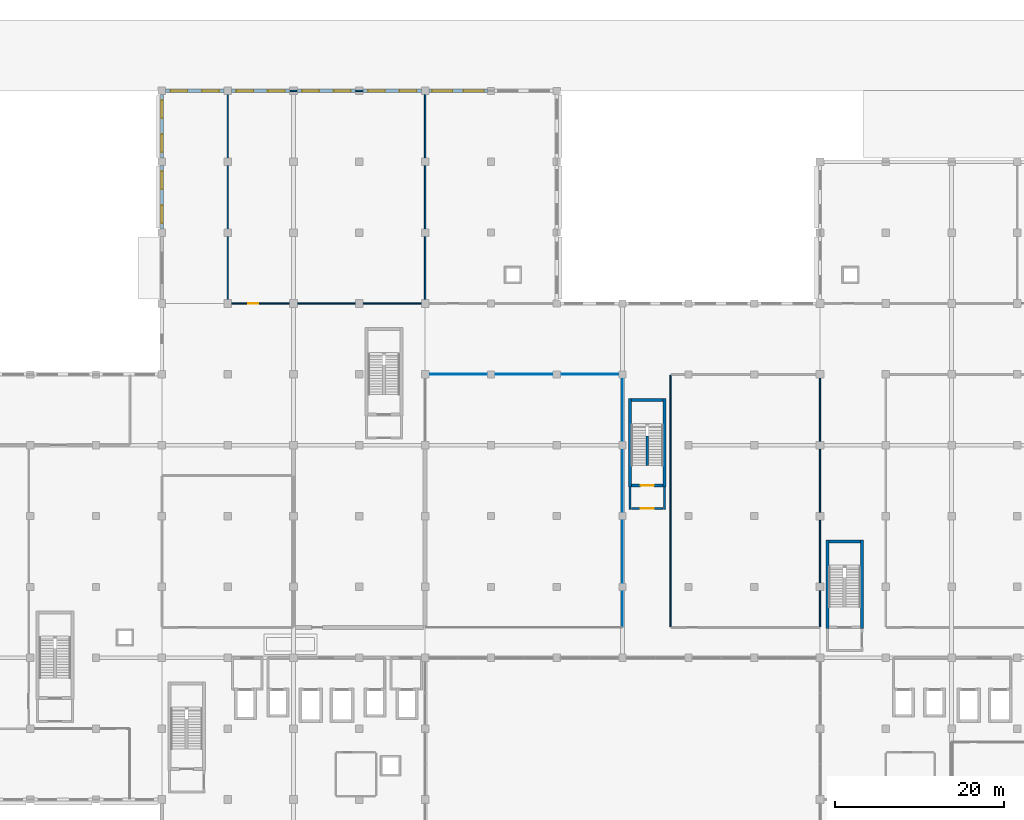
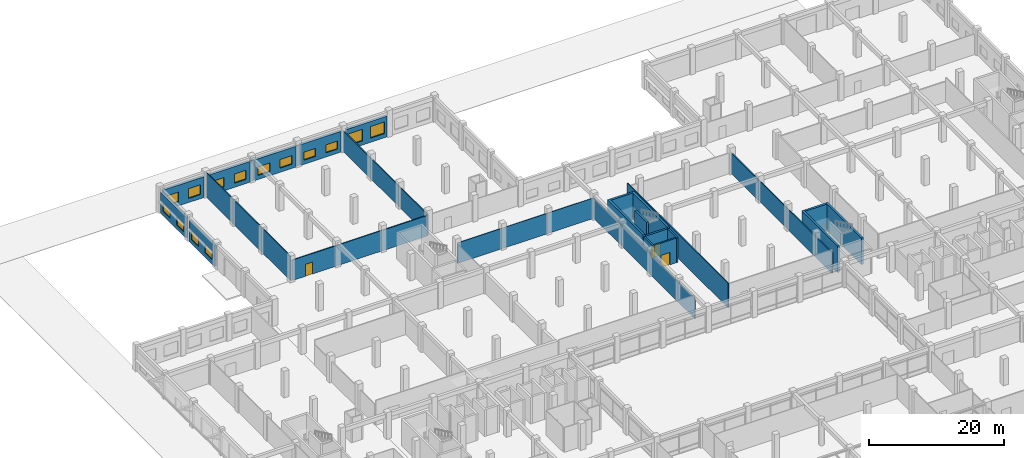
# One storey, part 53 of 74: 27 walls, 14 windows, 3 doors, 17 openings.
"""IFC4 building model written with IfcOpenShell, lengths in metres."""

from ifc_helpers import new_model, si_unit, direction, frame, frame_2d, origin, place, context, subcontext, project, spatial, rectangle, extrude, material, layer, layer_set, type_object, element, fill, save


model = new_model("IFC4")

# Units and contexts
model_context = context("Model", 3, precision=1e-05, world=origin(), true_north=direction((0.0, 1.0)))
body_context = subcontext(model_context, "Body", "Model", "MODEL_VIEW")
ifc_project = project(units=[si_unit("LENGTHUNIT", "METRE"), si_unit("AREAUNIT", "SQUARE_METRE"), si_unit("VOLUMEUNIT", "CUBIC_METRE"), si_unit("PLANEANGLEUNIT", "RADIAN"), si_unit("MASSUNIT", "GRAM", prefix="KILO"), si_unit("THERMODYNAMICTEMPERATUREUNIT", "KELVIN"), si_unit("POWERUNIT", "WATT")], contexts=[model_context])

# Site, building, storey
site_placement = place(None, origin())
site = spatial("IfcSite", under=ifc_project, at=site_placement, CompositionType="ELEMENT")
building_placement = place(site_placement, origin())
building = spatial("IfcBuilding", under=site, at=building_placement, Name="Srebrne Nadtorze General Hospital", CompositionType="ELEMENT")
storey_placement = place(building_placement, origin())
storey = spatial("IfcBuildingStorey", under=building, at=storey_placement, Name="L00", CompositionType="ELEMENT", Elevation=0.0)

# Wall, openings, windows
ifc_material_1 = material(Name="Concrete C40/50", Category="concrete")
ifc_layer_1 = layer(ifc_material_1, 0.419921875)
ifc_layer_set_1 = layer_set([ifc_layer_1], Name="Concrete C40/50")
wall_type_1 = type_object("IfcWallType", Name="Acoustic buffer wall 420", PredefinedType="SOLIDWALL", material=ifc_layer_set_1)
wall_1_placement = place(storey_placement, frame((23.85009765625, 117.60009765625, 0.0), z_axis=(0.0, 0.0, 1.0), x_axis=(1.0, 0.0, 0.0)))
wall_1 = element("IfcWall", 1, at=wall_1_placement, inside=storey, type_object=wall_type_1, Name="Exterior wall WL-ENV-L00-0113", PredefinedType="SOLIDWALL", context=body_context, shape_type="SweptSolid", body=[
    extrude(rectangle(XDim=6.89990234375, YDim=0.419921875, at=frame_2d((3.449951171875, 0.0))), origin(), (0.0, 0.0, 1.0), 3.75),
])
opening_1_placement = place(wall_1_placement, frame((0.577880859375, 0.0, 0.75)))
opening_1 = element("IfcOpeningElement", 2, at=opening_1_placement, cuts=wall_1, Name="Opening WN-L00-0061", PredefinedType="OPENING", context=body_context, shape_type="SweptSolid", body=[
    extrude(rectangle(XDim=2.0, YDim=1.75, at=frame_2d((1.0, 0.875))), frame((0.0, 0.221923828125, 0.0), z_axis=(0.0, -1.0, 0.0), x_axis=(1.0, 0.0, 0.0)), (0.0, 0.0, 1.0), 0.44384765625),
])
opening_2_placement = place(wall_1_placement, frame((4.322021484375, 0.0, 0.75)))
opening_2 = element("IfcOpeningElement", 3, at=opening_2_placement, cuts=wall_1, Name="Opening WN-L00-0062", PredefinedType="OPENING", context=body_context, shape_type="SweptSolid", body=[
    extrude(rectangle(XDim=2.0, YDim=1.75, at=frame_2d((1.0, 0.875))), frame((0.0, 0.221923828125, 0.0), z_axis=(0.0, -1.0, 0.0), x_axis=(1.0, 0.0, 0.0)), (0.0, 0.0, 1.0), 0.44384765625),
])
ifc_material_2 = material(Name="Triple Low-E Glazing", Category="glass")
window_type_1 = type_object("IfcWindowType", Name="Punched clinical window 2000x1750", PartitioningType="DOUBLE_PANEL_VERTICAL", PredefinedType="WINDOW", material=ifc_material_2)
window_1_placement = place(opening_1_placement, origin())
window_1 = element("IfcWindow", 4, at=window_1_placement, inside=storey, type_object=window_type_1, Name="Clinical window WN-L00-0061", OverallHeight=1.75, OverallWidth=2.0, PartitioningType="DOUBLE_PANEL_VERTICAL", PredefinedType="WINDOW", context=body_context, shape_type="SweptSolid", body=[
    extrude(rectangle(XDim=2.0, YDim=1.75, at=frame_2d((1.0, 0.875))), frame((0.0, 0.030029296875, 0.0), z_axis=(0.0, -1.0, 0.0), x_axis=(1.0, 0.0, 0.0)), (0.0, 0.0, 1.0), 0.06005859375),
])
fill(opening_1, window_1)
window_2_placement = place(opening_2_placement, origin())
window_2 = element("IfcWindow", 5, at=window_2_placement, inside=storey, type_object=window_type_1, Name="Clinical window WN-L00-0062", OverallHeight=1.75, OverallWidth=2.0, PartitioningType="DOUBLE_PANEL_VERTICAL", PredefinedType="WINDOW", context=body_context, shape_type="SweptSolid", body=[
    extrude(rectangle(XDim=2.0, YDim=1.75, at=frame_2d((1.0, 0.875))), frame((0.0, 0.030029296875, 0.0), z_axis=(0.0, -1.0, 0.0), x_axis=(1.0, 0.0, 0.0)), (0.0, 0.0, 1.0), 0.06005859375),
])
fill(opening_2, window_2)

wall_2_placement = place(storey_placement, frame((31.64990234375, 117.60009765625, 0.0), z_axis=(0.0, 0.0, 1.0), x_axis=(1.0, 0.0, 0.0)))
wall_2 = element("IfcWall", 6, at=wall_2_placement, inside=storey, type_object=wall_type_1, Name="Exterior wall WL-ENV-L00-0114", PredefinedType="SOLIDWALL", context=body_context, shape_type="SweptSolid", body=[
    extrude(rectangle(XDim=6.900146484375, YDim=0.419921875, at=frame_2d((3.4501953125, 0.0))), origin(), (0.0, 0.0, 1.0), 3.75),
])
opening_3_placement = place(wall_2_placement, frame((0.577880859375, 0.0, 0.75)))
opening_3 = element("IfcOpeningElement", 7, at=opening_3_placement, cuts=wall_2, Name="Opening WN-L00-0063", PredefinedType="OPENING", context=body_context, shape_type="SweptSolid", body=[
    extrude(rectangle(XDim=2.0, YDim=1.64990234375, at=frame_2d((1.0, 0.824951171875))), frame((0.0, 0.221923828125, 0.0), z_axis=(0.0, -1.0, 0.0), x_axis=(1.0, 0.0, 0.0)), (0.0, 0.0, 1.0), 0.44384765625),
])
opening_4_placement = place(wall_2_placement, frame((4.322021484375, 0.0, 0.75)))
opening_4 = element("IfcOpeningElement", 8, at=opening_4_placement, cuts=wall_2, Name="Opening WN-L00-0064", PredefinedType="OPENING", context=body_context, shape_type="SweptSolid", body=[
    extrude(rectangle(XDim=2.0, YDim=1.64990234375, at=frame_2d((1.0, 0.824951171875))), frame((0.0, 0.221923828125, 0.0), z_axis=(0.0, -1.0, 0.0), x_axis=(1.0, 0.0, 0.0)), (0.0, 0.0, 1.0), 0.44384765625),
])
ifc_material_3 = material(Name="Triple Low-E Glazing", Category="glass")
window_type_2 = type_object("IfcWindowType", Name="Punched clinical window 2000x1650", PartitioningType="DOUBLE_PANEL_VERTICAL", PredefinedType="WINDOW", material=ifc_material_3)
window_3_placement = place(opening_3_placement, origin())
window_3 = element("IfcWindow", 9, at=window_3_placement, inside=storey, type_object=window_type_2, Name="Clinical window WN-L00-0063", OverallHeight=1.64990234375, OverallWidth=2.0, PartitioningType="DOUBLE_PANEL_VERTICAL", PredefinedType="WINDOW", context=body_context, shape_type="SweptSolid", body=[
    extrude(rectangle(XDim=2.0, YDim=1.64990234375, at=frame_2d((1.0, 0.824951171875))), frame((0.0, 0.030029296875, 0.0), z_axis=(0.0, -1.0, 0.0), x_axis=(1.0, 0.0, 0.0)), (0.0, 0.0, 1.0), 0.06005859375),
])
fill(opening_3, window_3)
window_4_placement = place(opening_4_placement, origin())
window_4 = element("IfcWindow", 10, at=window_4_placement, inside=storey, type_object=window_type_2, Name="Clinical window WN-L00-0064", OverallHeight=1.64990234375, OverallWidth=2.0, PartitioningType="DOUBLE_PANEL_VERTICAL", PredefinedType="WINDOW", context=body_context, shape_type="SweptSolid", body=[
    extrude(rectangle(XDim=2.0, YDim=1.64990234375, at=frame_2d((1.0, 0.824951171875))), frame((0.0, 0.030029296875, 0.0), z_axis=(0.0, -1.0, 0.0), x_axis=(1.0, 0.0, 0.0)), (0.0, 0.0, 1.0), 0.06005859375),
])
fill(opening_4, window_4)

wall_3_placement = place(storey_placement, frame((39.449951171875, 117.60009765625, 0.0), z_axis=(0.0, 0.0, 1.0), x_axis=(1.0, 0.0, 0.0)))
wall_3 = element("IfcWall", 11, at=wall_3_placement, inside=storey, type_object=wall_type_1, Name="Exterior wall WL-ENV-L00-0115", PredefinedType="SOLIDWALL", context=body_context, shape_type="SweptSolid", body=[
    extrude(rectangle(XDim=6.900146484375, YDim=0.419921875, at=frame_2d((3.4501953125, 0.0))), origin(), (0.0, 0.0, 1.0), 3.75),
])
opening_5_placement = place(wall_3_placement, frame((0.577880859375, 0.0, 0.75)))
opening_5 = element("IfcOpeningElement", 12, at=opening_5_placement, cuts=wall_3, Name="Opening WN-L00-0065", PredefinedType="OPENING", context=body_context, shape_type="SweptSolid", body=[
    extrude(rectangle(XDim=2.0, YDim=1.550048828125, at=frame_2d((1.0, 0.77490234375))), frame((0.0, 0.221923828125, 0.0), z_axis=(0.0, -1.0, 0.0), x_axis=(1.0, 0.0, 0.0)), (0.0, 0.0, 1.0), 0.44384765625),
])
opening_6_placement = place(wall_3_placement, frame((4.322021484375, 0.0, 0.75)))
opening_6 = element("IfcOpeningElement", 13, at=opening_6_placement, cuts=wall_3, Name="Opening WN-L00-0066", PredefinedType="OPENING", context=body_context, shape_type="SweptSolid", body=[
    extrude(rectangle(XDim=2.0, YDim=1.550048828125, at=frame_2d((1.0, 0.77490234375))), frame((0.0, 0.221923828125, 0.0), z_axis=(0.0, -1.0, 0.0), x_axis=(1.0, 0.0, 0.0)), (0.0, 0.0, 1.0), 0.44384765625),
])
ifc_material_4 = material(Name="Triple Low-E Glazing", Category="glass")
window_type_3 = type_object("IfcWindowType", Name="Punched clinical window 2000x1550", PartitioningType="DOUBLE_PANEL_VERTICAL", PredefinedType="WINDOW", material=ifc_material_4)
window_5_placement = place(opening_5_placement, origin())
window_5 = element("IfcWindow", 14, at=window_5_placement, inside=storey, type_object=window_type_3, Name="Clinical window WN-L00-0065", OverallHeight=1.550048828125, OverallWidth=2.0, PartitioningType="DOUBLE_PANEL_VERTICAL", PredefinedType="WINDOW", context=body_context, shape_type="SweptSolid", body=[
    extrude(rectangle(XDim=2.0, YDim=1.550048828125, at=frame_2d((1.0, 0.77490234375))), frame((0.0, 0.030029296875, 0.0), z_axis=(0.0, -1.0, 0.0), x_axis=(1.0, 0.0, 0.0)), (0.0, 0.0, 1.0), 0.06005859375),
])
fill(opening_5, window_5)
window_6_placement = place(opening_6_placement, origin())
window_6 = element("IfcWindow", 15, at=window_6_placement, inside=storey, type_object=window_type_3, Name="Clinical window WN-L00-0066", OverallHeight=1.550048828125, OverallWidth=2.0, PartitioningType="DOUBLE_PANEL_VERTICAL", PredefinedType="WINDOW", context=body_context, shape_type="SweptSolid", body=[
    extrude(rectangle(XDim=2.0, YDim=1.550048828125, at=frame_2d((1.0, 0.77490234375))), frame((0.0, 0.030029296875, 0.0), z_axis=(0.0, -1.0, 0.0), x_axis=(1.0, 0.0, 0.0)), (0.0, 0.0, 1.0), 0.06005859375),
])
fill(opening_6, window_6)

wall_4_placement = place(storey_placement, frame((47.25, 117.60009765625, 0.0), z_axis=(0.0, 0.0, 1.0), x_axis=(1.0, 0.0, 0.0)))
wall_4 = element("IfcWall", 16, at=wall_4_placement, inside=storey, type_object=wall_type_1, Name="Exterior wall WL-ENV-L00-0116", PredefinedType="SOLIDWALL", context=body_context, shape_type="SweptSolid", body=[
    extrude(rectangle(XDim=6.89990234375, YDim=0.419921875, at=frame_2d((3.449951171875, 0.0))), origin(), (0.0, 0.0, 1.0), 3.75),
])
opening_7_placement = place(wall_4_placement, frame((0.577880859375, 0.0, 0.75)))
opening_7 = element("IfcOpeningElement", 17, at=opening_7_placement, cuts=wall_4, Name="Opening WN-L00-0067", PredefinedType="OPENING", context=body_context, shape_type="SweptSolid", body=[
    extrude(rectangle(XDim=2.0, YDim=1.449951171875, at=frame_2d((1.0, 0.72509765625))), frame((0.0, 0.221923828125, 0.0), z_axis=(0.0, -1.0, 0.0), x_axis=(1.0, 0.0, 0.0)), (0.0, 0.0, 1.0), 0.44384765625),
])
opening_8_placement = place(wall_4_placement, frame((4.322021484375, 0.0, 0.75)))
opening_8 = element("IfcOpeningElement", 18, at=opening_8_placement, cuts=wall_4, Name="Opening WN-L00-0068", PredefinedType="OPENING", context=body_context, shape_type="SweptSolid", body=[
    extrude(rectangle(XDim=2.0, YDim=1.449951171875, at=frame_2d((1.0, 0.72509765625))), frame((0.0, 0.221923828125, 0.0), z_axis=(0.0, -1.0, 0.0), x_axis=(1.0, 0.0, 0.0)), (0.0, 0.0, 1.0), 0.44384765625),
])
ifc_material_5 = material(Name="Triple Low-E Glazing", Category="glass")
window_type_4 = type_object("IfcWindowType", Name="Punched clinical window 2000x1450", PartitioningType="DOUBLE_PANEL_VERTICAL", PredefinedType="WINDOW", material=ifc_material_5)
window_7_placement = place(opening_7_placement, origin())
window_7 = element("IfcWindow", 19, at=window_7_placement, inside=storey, type_object=window_type_4, Name="Clinical window WN-L00-0067", OverallHeight=1.449951171875, OverallWidth=2.0, PartitioningType="DOUBLE_PANEL_VERTICAL", PredefinedType="WINDOW", context=body_context, shape_type="SweptSolid", body=[
    extrude(rectangle(XDim=2.0, YDim=1.449951171875, at=frame_2d((1.0, 0.72509765625))), frame((0.0, 0.030029296875, 0.0), z_axis=(0.0, -1.0, 0.0), x_axis=(1.0, 0.0, 0.0)), (0.0, 0.0, 1.0), 0.06005859375),
])
fill(opening_7, window_7)
window_8_placement = place(opening_8_placement, origin())
window_8 = element("IfcWindow", 20, at=window_8_placement, inside=storey, type_object=window_type_4, Name="Clinical window WN-L00-0068", OverallHeight=1.449951171875, OverallWidth=2.0, PartitioningType="DOUBLE_PANEL_VERTICAL", PredefinedType="WINDOW", context=body_context, shape_type="SweptSolid", body=[
    extrude(rectangle(XDim=2.0, YDim=1.449951171875, at=frame_2d((1.0, 0.72509765625))), frame((0.0, 0.030029296875, 0.0), z_axis=(0.0, -1.0, 0.0), x_axis=(1.0, 0.0, 0.0)), (0.0, 0.0, 1.0), 0.06005859375),
])
fill(opening_8, window_8)

wall_5_placement = place(storey_placement, frame((55.050048828125, 117.60009765625, 0.0), z_axis=(0.0, 0.0, 1.0), x_axis=(1.0, 0.0, 0.0)))
wall_5 = element("IfcWall", 21, at=wall_5_placement, inside=storey, type_object=wall_type_1, Name="Exterior wall WL-ENV-L00-0117", PredefinedType="SOLIDWALL", context=body_context, shape_type="SweptSolid", body=[
    extrude(rectangle(XDim=6.925048828125, YDim=0.419921875, at=frame_2d((3.46240234375, 0.0))), origin(), (0.0, 0.0, 1.0), 3.75),
])
opening_9_placement = place(wall_5_placement, frame((0.3779296875, 0.0, 0.75)))
opening_9 = element("IfcOpeningElement", 22, at=opening_9_placement, cuts=wall_5, Name="Opening WN-L00-0069", PredefinedType="OPENING", context=body_context, shape_type="SweptSolid", body=[
    extrude(rectangle(XDim=2.39990234375, YDim=2.10009765625, at=frame_2d((1.199951171875, 1.050048828125))), frame((0.0, 0.221923828125, 0.0), z_axis=(0.0, -1.0, 0.0), x_axis=(1.0, 0.0, 0.0)), (0.0, 0.0, 1.0), 0.44384765625),
])
opening_10_placement = place(wall_5_placement, frame((4.1220703125, 0.0, 0.75)))
opening_10 = element("IfcOpeningElement", 23, at=opening_10_placement, cuts=wall_5, Name="Opening WN-L00-0070", PredefinedType="OPENING", context=body_context, shape_type="SweptSolid", body=[
    extrude(rectangle(XDim=2.39990234375, YDim=2.10009765625, at=frame_2d((1.199951171875, 1.050048828125))), frame((0.0, 0.221923828125, 0.0), z_axis=(0.0, -1.0, 0.0), x_axis=(1.0, 0.0, 0.0)), (0.0, 0.0, 1.0), 0.44384765625),
])
ifc_material_6 = material(Name="Triple Low-E Glazing", Category="glass")
window_type_5 = type_object("IfcWindowType", Name="Punched clinical window 2400x2100", PartitioningType="DOUBLE_PANEL_VERTICAL", PredefinedType="WINDOW", material=ifc_material_6)
window_9_placement = place(opening_9_placement, origin())
window_9 = element("IfcWindow", 24, at=window_9_placement, inside=storey, type_object=window_type_5, Name="Clinical window WN-L00-0069", OverallHeight=2.10009765625, OverallWidth=2.39990234375, PartitioningType="DOUBLE_PANEL_VERTICAL", PredefinedType="WINDOW", context=body_context, shape_type="SweptSolid", body=[
    extrude(rectangle(XDim=2.39990234375, YDim=2.10009765625, at=frame_2d((1.199951171875, 1.050048828125))), frame((0.0, 0.030029296875, 0.0), z_axis=(0.0, -1.0, 0.0), x_axis=(1.0, 0.0, 0.0)), (0.0, 0.0, 1.0), 0.06005859375),
])
fill(opening_9, window_9)
window_10_placement = place(opening_10_placement, origin())
window_10 = element("IfcWindow", 25, at=window_10_placement, inside=storey, type_object=window_type_5, Name="Clinical window WN-L00-0070", OverallHeight=2.10009765625, OverallWidth=2.39990234375, PartitioningType="DOUBLE_PANEL_VERTICAL", PredefinedType="WINDOW", context=body_context, shape_type="SweptSolid", body=[
    extrude(rectangle(XDim=2.39990234375, YDim=2.10009765625, at=frame_2d((1.199951171875, 1.050048828125))), frame((0.0, 0.030029296875, 0.0), z_axis=(0.0, -1.0, 0.0), x_axis=(1.0, 0.0, 0.0)), (0.0, 0.0, 1.0), 0.06005859375),
])
fill(opening_10, window_10)

# Wall, opening, door
ifc_material_7 = material(Name="Gypsum Healthcare Partition")
ifc_layer_2 = layer(ifc_material_7, 0.159912109375)
ifc_layer_set_2 = layer_set([ifc_layer_2], Name="Gypsum Healthcare Partition")
wall_type_2 = type_object("IfcWallType", Name="Clinical partition 160", PredefinedType="PARTITIONING", material=ifc_layer_set_2)
wall_6_placement = place(storey_placement, frame((31.284912109375, 92.39990234375, 0.0), z_axis=(0.0, 0.0, 1.0), x_axis=(1.0, 0.0, 0.0)))
wall_6 = element("IfcWall", 26, at=wall_6_placement, inside=storey, type_object=wall_type_2, Name="Emergency Minor Injuries Unit wall WL-INT-L00-1321", PredefinedType="PARTITIONING", context=body_context, shape_type="SweptSolid", body=[
    extrude(rectangle(XDim=23.22998046875, YDim=0.159912109375, at=frame_2d((11.614990234375, 0.0))), origin(), (0.0, 0.0, 1.0), 3.699951171875),
])
opening_11_placement = place(wall_6_placement, frame((2.33837890625, 0.0, 0.0)))
opening_11 = element("IfcOpeningElement", 27, at=opening_11_placement, cuts=wall_6, Name="Opening D-L00-0196", PredefinedType="OPENING", context=body_context, shape_type="SweptSolid", body=[
    extrude(rectangle(XDim=1.199951171875, YDim=2.14990234375, at=frame_2d((0.60009765625, 1.074951171875))), frame((0.0, 0.091796875, 0.0), z_axis=(0.0, -1.0, 0.0), x_axis=(1.0, 0.0, 0.0)), (0.0, 0.0, 1.0), 0.183837890625),
])
ifc_material_8 = material(Name="Anodised Aluminium", Category="aluminium")
door_type_1 = type_object("IfcDoorType", Name="Single leaf door 1200x2150", OperationType="NOTDEFINED", PredefinedType="DOOR", material=ifc_material_8)
door_1_placement = place(opening_11_placement, origin())
door_1 = element("IfcDoor", 28, at=door_1_placement, inside=storey, type_object=door_type_1, Name="Emergency Minor Injuries Unit door D-L00-0196", OperationType="SINGLE_SWING_LEFT", OverallHeight=2.14990234375, OverallWidth=1.199951171875, PredefinedType="DOOR", context=body_context, shape_type="SweptSolid", body=[
    extrude(rectangle(XDim=1.199951171875, YDim=2.14990234375, at=frame_2d((0.60009765625, 1.074951171875))), frame((0.0, 0.02490234375, 0.0), z_axis=(0.0, -1.0, 0.0), x_axis=(1.0, 0.0, 0.0)), (0.0, 0.0, 1.0), 0.050048828125),
])
fill(opening_11, door_1)

# Walls
wall_7_placement = place(storey_placement, frame((38.590087890625, 117.60009765625, 0.0), z_axis=(0.0, 0.0, 1.0), x_axis=(1.0, 0.0, 0.0)))
element("IfcWall", 29, at=wall_7_placement, inside=storey, type_object=wall_type_2, Name="Emergency Minor Injuries Unit wall WL-INT-L00-1322", PredefinedType="PARTITIONING", context=body_context, shape_type="SweptSolid", body=[
    extrude(rectangle(XDim=0.81982421875, YDim=0.159912109375, at=frame_2d((0.409912109375, 0.0))), origin(), (0.0, 0.0, 1.0), 3.699951171875),
])
wall_8_placement = place(storey_placement, frame((46.389892578125, 117.60009765625, 0.0), z_axis=(0.0, 0.0, 1.0), x_axis=(1.0, 0.0, 0.0)))
element("IfcWall", 30, at=wall_8_placement, inside=storey, type_object=wall_type_2, Name="Emergency Minor Injuries Unit wall WL-INT-L00-1323", PredefinedType="PARTITIONING", context=body_context, shape_type="SweptSolid", body=[
    extrude(rectangle(XDim=0.820068359375, YDim=0.159912109375, at=frame_2d((0.41015625, 0.0))), origin(), (0.0, 0.0, 1.0), 3.699951171875),
])
wall_9_placement = place(storey_placement, frame((31.199951171875, 92.485107421875, 0.0), z_axis=(0.0, 0.0, 1.0), x_axis=(0.0, 1.0, 0.0)))
element("IfcWall", 31, at=wall_9_placement, inside=storey, type_object=wall_type_2, Name="Emergency Minor Injuries Unit wall WL-INT-L00-1324", PredefinedType="PARTITIONING", context=body_context, shape_type="SweptSolid", body=[
    extrude(rectangle(XDim=25.02978515625, YDim=0.159912109375, at=frame_2d((12.514892578125, 0.0))), origin(), (0.0, 0.0, 1.0), 4.429931640625),
])
wall_10_placement = place(storey_placement, frame((54.60009765625, 92.485107421875, 0.0), z_axis=(0.0, 0.0, 1.0), x_axis=(0.0, 1.0, 0.0)))
element("IfcWall", 32, at=wall_10_placement, inside=storey, type_object=wall_type_2, Name="Emergency Minor Injuries Unit wall WL-INT-L00-1325", PredefinedType="PARTITIONING", context=body_context, shape_type="SweptSolid", body=[
    extrude(rectangle(XDim=25.02978515625, YDim=0.159912109375, at=frame_2d((12.514892578125, 0.0))), origin(), (0.0, 0.0, 1.0), 3.699951171875),
])
wall_11_placement = place(storey_placement, frame((83.675048828125, 54.0849609375, 0.0), z_axis=(0.0, 0.0, 1.0), x_axis=(0.0, 1.0, 0.0)))
element("IfcWall", 33, at=wall_11_placement, inside=storey, type_object=wall_type_2, Name="Emergency Plaster and Fracture Clinic wall WL-INT-L00-1336", PredefinedType="PARTITIONING", context=body_context, shape_type="SweptSolid", body=[
    extrude(rectangle(XDim=29.830078125, YDim=0.159912109375, at=frame_2d((14.9150390625, 0.0))), origin(), (0.0, 0.0, 1.0), 4.429931640625),
])
wall_12_placement = place(storey_placement, frame((101.39990234375, 54.0849609375, 0.0), z_axis=(0.0, 0.0, 1.0), x_axis=(0.0, 1.0, 0.0)))
element("IfcWall", 34, at=wall_12_placement, inside=storey, type_object=wall_type_2, Name="Emergency Plaster and Fracture Clinic wall WL-INT-L00-1337", PredefinedType="PARTITIONING", context=body_context, shape_type="SweptSolid", body=[
    extrude(rectangle(XDim=29.830078125, YDim=0.159912109375, at=frame_2d((14.9150390625, 0.0))), origin(), (0.0, 0.0, 1.0), 3.699951171875),
])
ifc_material_9 = material(Name="Gypsum Healthcare Partition")
ifc_layer_3 = layer(ifc_material_9, 0.239990234375)
ifc_layer_set_3 = layer_set([ifc_layer_3], Name="Gypsum Healthcare Partition")
wall_type_3 = type_object("IfcWallType", Name="Corridor fire wall 240", PredefinedType="STANDARD", material=ifc_layer_set_3)
for number, where, z_axis, x_axis, name in (
    (35, (78.875, 67.955078125, 0.0), (0.0, 0.0, 1.0), (0.0, 1.0, 0.0), "Fire lobby wall ST-07 WL-INT-L00-0117"),
    (36, (82.97509765625, 67.955078125, 0.0), (0.0, 0.0, 1.0), (0.0, 1.0, 0.0), "Fire lobby wall ST-07 WL-INT-L00-0118"),
):
    element("IfcWall", number, at=place(storey_placement, frame(where, z_axis=z_axis, x_axis=x_axis)), inside=storey, type_object=wall_type_3, Name=name, PredefinedType="STANDARD", context=body_context, shape_type="SweptSolid", body=[
        extrude(rectangle(XDim=2.69482421875, YDim=0.239990234375, at=frame_2d((1.347412109375, 0.0))), origin(), (0.0, 0.0, 1.0), 4.449951171875),
    ])

# Wall, opening, door
wall_13_placement = place(storey_placement, frame((79.050048828125, 68.074951171875, 0.0), z_axis=(0.0, 0.0, 1.0), x_axis=(1.0, 0.0, 0.0)))
wall_13 = element("IfcWall", 37, at=wall_13_placement, inside=storey, type_object=wall_type_3, Name="Fire lobby entry wall ST-07 WL-INT-L00-0119", PredefinedType="STANDARD", context=body_context, shape_type="SweptSolid", body=[
    extrude(rectangle(XDim=3.75, YDim=0.239990234375, at=frame_2d((1.875, 0.0))), origin(), (0.0, 0.0, 1.0), 4.449951171875),
])
opening_12_placement = place(wall_13_placement, frame((1.10009765625, 0.0, 0.0)))
opening_12 = element("IfcOpeningElement", 38, at=opening_12_placement, cuts=wall_13, Name="Opening D-L00-0030", PredefinedType="OPENING", context=body_context, shape_type="SweptSolid", body=[
    extrude(rectangle(XDim=1.550048828125, YDim=2.25, at=frame_2d((0.77490234375, 1.125))), frame((0.0, 0.1318359375, 0.0), z_axis=(0.0, -1.0, 0.0), x_axis=(1.0, 0.0, 0.0)), (0.0, 0.0, 1.0), 0.263916015625),
])
ifc_material_10 = material(Name="Anodised Aluminium", Category="aluminium")
door_type_2 = type_object("IfcDoorType", Name="Double leaf door 1550x2250", OperationType="DOUBLE_DOOR_SINGLE_SWING", PredefinedType="DOOR", material=ifc_material_10)
door_2_placement = place(opening_12_placement, frame((1.550048828125, 0.0, 0.0), z_axis=(0.0, 0.0, 1.0), x_axis=(-1.0, 0.0, 0.0)))
door_2 = element("IfcDoor", 39, at=door_2_placement, inside=storey, type_object=door_type_2, Name="Fire lobby door ST-07 D-L00-0030", OperationType="DOUBLE_DOOR_SINGLE_SWING", OverallHeight=2.25, OverallWidth=1.550048828125, PredefinedType="DOOR", context=body_context, shape_type="SweptSolid", body=[
    extrude(rectangle(XDim=1.550048828125, YDim=2.25, at=frame_2d((0.77490234375, 1.125))), frame((0.0, 0.02490234375, 0.0), z_axis=(0.0, -1.0, 0.0), x_axis=(1.0, 0.0, 0.0)), (0.0, 0.0, 1.0), 0.050048828125),
])
fill(opening_12, door_2)

# Walls
ifc_material_11 = material(Name="Gypsum Healthcare Partition")
ifc_layer_4 = layer(ifc_material_11, 0.10009765625)
ifc_layer_set_4 = layer_set([ifc_layer_4], Name="Gypsum Healthcare Partition")
wall_type_4 = type_object("IfcWallType", Name="Shaft lining wall 100", PredefinedType="PARTITIONING", material=ifc_layer_set_4)
wall_14_placement = place(storey_placement, frame((54.68505859375, 84.0, 0.0), z_axis=(0.0, 0.0, 1.0), x_axis=(1.0, 0.0, 0.0)))
element("IfcWall", 40, at=wall_14_placement, inside=storey, type_object=wall_type_4, Name="Diagnostic Phlebotomy and Specimen Unit wall WL-INT-L00-1331", PredefinedType="PARTITIONING", context=body_context, shape_type="SweptSolid", body=[
    extrude(rectangle(XDim=23.22998046875, YDim=0.10009765625, at=frame_2d((11.614990234375, 0.0))), origin(), (0.0, 0.0, 1.0), 3.699951171875),
])
wall_15_placement = place(storey_placement, frame((78.0, 54.0849609375, 0.0), z_axis=(0.0, 0.0, 1.0), x_axis=(0.0, 1.0, 0.0)))
element("IfcWall", 41, at=wall_15_placement, inside=storey, type_object=wall_type_4, Name="Diagnostic Phlebotomy and Specimen Unit wall WL-INT-L00-1333", PredefinedType="PARTITIONING", context=body_context, shape_type="SweptSolid", body=[
    extrude(rectangle(XDim=29.830078125, YDim=0.10009765625, at=frame_2d((14.9150390625, 0.0))), origin(), (0.0, 0.0, 1.0), 3.699951171875),
])
ifc_material_12 = material(Name="Concrete C40/50", Category="concrete")
ifc_layer_5 = layer(ifc_material_12, 0.35009765625)
ifc_layer_set_5 = layer_set([ifc_layer_5], Name="Concrete C40/50")
wall_type_5 = type_object("IfcWallType", Name="Shear core wall 350", PredefinedType="SHEAR", material=ifc_layer_set_5)
for number, where, z_axis, x_axis, name in (
    (42, (102.27490234375, 53.85009765625, 0.0), (0.0, 0.0, 1.0), (0.0, 1.0, 0.0), "Stair core wall ST-03 WL-INT-L00-0081"),
    (43, (106.375, 53.85009765625, 0.0), (0.0, 0.0, 1.0), (0.0, 1.0, 0.0), "Stair core wall ST-03 WL-INT-L00-0082"),
):
    element("IfcWall", number, at=place(storey_placement, frame(where, z_axis=z_axis, x_axis=x_axis)), inside=storey, type_object=wall_type_5, Name=name, PredefinedType="SHEAR", context=body_context, shape_type="SweptSolid", body=[
        extrude(rectangle(XDim=10.5, YDim=0.35009765625, at=frame_2d((5.25, 0.0))), origin(), (0.0, 0.0, 1.0), 4.800048828125),
    ])
wall_16_placement = place(storey_placement, frame((102.449951171875, 64.175048828125, 0.0), z_axis=(0.0, 0.0, 1.0), x_axis=(1.0, 0.0, 0.0)))
element("IfcWall", 44, at=wall_16_placement, inside=storey, type_object=wall_type_5, Name="Stair core wall ST-03 WL-INT-L00-0083", PredefinedType="SHEAR", context=body_context, shape_type="SweptSolid", body=[
    extrude(rectangle(XDim=3.75, YDim=0.35009765625, at=frame_2d((1.875, 0.0))), origin(), (0.0, 0.0, 1.0), 4.800048828125),
])
for number, where, z_axis, x_axis, name in (
    (45, (78.875, 70.64990234375, 0.0), (0.0, 0.0, 1.0), (0.0, 1.0, 0.0), "Stair core wall ST-07 WL-INT-L00-0113"),
    (46, (82.97509765625, 70.64990234375, 0.0), (0.0, 0.0, 1.0), (0.0, 1.0, 0.0), "Stair core wall ST-07 WL-INT-L00-0114"),
):
    element("IfcWall", number, at=place(storey_placement, frame(where, z_axis=z_axis, x_axis=x_axis)), inside=storey, type_object=wall_type_5, Name=name, PredefinedType="SHEAR", context=body_context, shape_type="SweptSolid", body=[
        extrude(rectangle(XDim=10.5, YDim=0.35009765625, at=frame_2d((5.25, 0.0))), origin(), (0.0, 0.0, 1.0), 4.800048828125),
    ])
wall_17_placement = place(storey_placement, frame((79.050048828125, 80.97509765625, 0.0), z_axis=(0.0, 0.0, 1.0), x_axis=(1.0, 0.0, 0.0)))
element("IfcWall", 47, at=wall_17_placement, inside=storey, type_object=wall_type_5, Name="Stair core wall ST-07 WL-INT-L00-0115", PredefinedType="SHEAR", context=body_context, shape_type="SweptSolid", body=[
    extrude(rectangle(XDim=3.75, YDim=0.35009765625, at=frame_2d((1.875, 0.0))), origin(), (0.0, 0.0, 1.0), 4.800048828125),
])

# Wall, opening, door
wall_18_placement = place(storey_placement, frame((79.050048828125, 70.824951171875, 0.0), z_axis=(0.0, 0.0, 1.0), x_axis=(1.0, 0.0, 0.0)))
wall_18 = element("IfcWall", 48, at=wall_18_placement, inside=storey, type_object=wall_type_5, Name="Stairwell fire wall ST-07 WL-INT-L00-0116", PredefinedType="SHEAR", context=body_context, shape_type="SweptSolid", body=[
    extrude(rectangle(XDim=3.75, YDim=0.35009765625, at=frame_2d((1.875, 0.0))), origin(), (0.0, 0.0, 1.0), 4.449951171875),
])
opening_13_placement = place(wall_18_placement, frame((1.10009765625, 0.0, 0.0)))
opening_13 = element("IfcOpeningElement", 49, at=opening_13_placement, cuts=wall_18, Name="Opening D-L00-0029", PredefinedType="OPENING", context=body_context, shape_type="SweptSolid", body=[
    extrude(rectangle(XDim=1.550048828125, YDim=2.25, at=frame_2d((0.77490234375, 1.125))), frame((0.0, 0.18701171875, 0.0), z_axis=(0.0, -1.0, 0.0), x_axis=(1.0, 0.0, 0.0)), (0.0, 0.0, 1.0), 0.3740234375),
])
door_3_placement = place(opening_13_placement, frame((1.550048828125, 0.0, 0.0), z_axis=(0.0, 0.0, 1.0), x_axis=(-1.0, 0.0, 0.0)))
door_3 = element("IfcDoor", 50, at=door_3_placement, inside=storey, type_object=door_type_2, Name="Protected stair door ST-07 D-L00-0029", OperationType="DOUBLE_DOOR_SINGLE_SWING", OverallHeight=2.25, OverallWidth=1.550048828125, PredefinedType="DOOR", context=body_context, shape_type="SweptSolid", body=[
    extrude(rectangle(XDim=1.550048828125, YDim=2.25, at=frame_2d((0.77490234375, 1.125))), frame((0.0, 0.02490234375, 0.0), z_axis=(0.0, -1.0, 0.0), x_axis=(1.0, 0.0, 0.0)), (0.0, 0.0, 1.0), 0.050048828125),
])
fill(opening_13, door_3)

# Wall
wall_19_placement = place(storey_placement, frame((80.925048828125, 73.199951171875, 0.0), z_axis=(0.0, 0.0, 1.0), x_axis=(0.0, 1.0, 0.0)))
element("IfcWall", 51, at=wall_19_placement, inside=storey, type_object=wall_type_5, Name="Stair spine wall ST-07 WL-INT-L00-0120", PredefinedType="SHEAR", context=body_context, shape_type="SweptSolid", body=[
    extrude(rectangle(XDim=3.52001953125, YDim=0.35009765625, at=frame_2d((1.760009765625, 0.0))), origin(), (0.0, 0.0, 1.0), 4.800048828125),
])

# Wall, openings, windows
ifc_material_13 = material(Name="Concrete C35/45", Category="concrete")
ifc_layer_6 = layer(ifc_material_13, 0.320068359375)
ifc_layer_set_6 = layer_set([ifc_layer_6], Name="Concrete C35/45")
wall_type_6 = type_object("IfcWallType", Name="Spandrel wall 320", PredefinedType="STANDARD", material=ifc_layer_set_6)
wall_20_placement = place(storey_placement, frame((23.39990234375, 101.25, 0.0), z_axis=(0.0, 0.0, 1.0), x_axis=(0.0, 1.0, 0.0)))
wall_20 = element("IfcWall", 52, at=wall_20_placement, inside=storey, type_object=wall_type_6, Name="Exterior wall WL-ENV-L00-0131", PredefinedType="STANDARD", context=body_context, shape_type="SweptSolid", body=[
    extrude(rectangle(XDim=7.5, YDim=0.320068359375, at=frame_2d((3.75, 0.0))), origin(), (0.0, 0.0, 1.0), 3.75),
])
opening_14_placement = place(wall_20_placement, frame((0.68408203125, 0.0, 0.75)))
opening_14 = element("IfcOpeningElement", 53, at=opening_14_placement, cuts=wall_20, Name="Opening WN-L00-0082", PredefinedType="OPENING", context=body_context, shape_type="SweptSolid", body=[
    extrude(rectangle(XDim=2.10009765625, YDim=1.550048828125, at=frame_2d((1.050048828125, 0.77490234375))), frame((0.0, 0.171875, 0.0), z_axis=(0.0, -1.0, 0.0), x_axis=(1.0, 0.0, 0.0)), (0.0, 0.0, 1.0), 0.343994140625),
])
opening_15_placement = place(wall_20_placement, frame((4.716064453125, 0.0, 0.75)))
opening_15 = element("IfcOpeningElement", 54, at=opening_15_placement, cuts=wall_20, Name="Opening WN-L00-0083", PredefinedType="OPENING", context=body_context, shape_type="SweptSolid", body=[
    extrude(rectangle(XDim=2.10009765625, YDim=1.550048828125, at=frame_2d((1.050048828125, 0.77490234375))), frame((0.0, 0.171875, 0.0), z_axis=(0.0, -1.0, 0.0), x_axis=(1.0, 0.0, 0.0)), (0.0, 0.0, 1.0), 0.343994140625),
])
ifc_material_14 = material(Name="Triple Low-E Glazing", Category="glass")
window_type_6 = type_object("IfcWindowType", Name="Punched clinical window 2100x1550", PartitioningType="DOUBLE_PANEL_VERTICAL", PredefinedType="WINDOW", material=ifc_material_14)
window_11_placement = place(opening_14_placement, origin())
window_11 = element("IfcWindow", 55, at=window_11_placement, inside=storey, type_object=window_type_6, Name="Clinical window WN-L00-0082", OverallHeight=1.550048828125, OverallWidth=2.10009765625, PartitioningType="DOUBLE_PANEL_VERTICAL", PredefinedType="WINDOW", context=body_context, shape_type="SweptSolid", body=[
    extrude(rectangle(XDim=2.10009765625, YDim=1.550048828125, at=frame_2d((1.050048828125, 0.77490234375))), frame((0.0, 0.030029296875, 0.0), z_axis=(0.0, -1.0, 0.0), x_axis=(1.0, 0.0, 0.0)), (0.0, 0.0, 1.0), 0.06005859375),
])
fill(opening_14, window_11)
window_12_placement = place(opening_15_placement, origin())
window_12 = element("IfcWindow", 56, at=window_12_placement, inside=storey, type_object=window_type_6, Name="Clinical window WN-L00-0083", OverallHeight=1.550048828125, OverallWidth=2.10009765625, PartitioningType="DOUBLE_PANEL_VERTICAL", PredefinedType="WINDOW", context=body_context, shape_type="SweptSolid", body=[
    extrude(rectangle(XDim=2.10009765625, YDim=1.550048828125, at=frame_2d((1.050048828125, 0.77490234375))), frame((0.0, 0.030029296875, 0.0), z_axis=(0.0, -1.0, 0.0), x_axis=(1.0, 0.0, 0.0)), (0.0, 0.0, 1.0), 0.06005859375),
])
fill(opening_15, window_12)

wall_21_placement = place(storey_placement, frame((23.39990234375, 109.64990234375, 0.0), z_axis=(0.0, 0.0, 1.0), x_axis=(0.0, 1.0, 0.0)))
wall_21 = element("IfcWall", 57, at=wall_21_placement, inside=storey, type_object=wall_type_6, Name="Exterior wall WL-ENV-L00-0132", PredefinedType="STANDARD", context=body_context, shape_type="SweptSolid", body=[
    extrude(rectangle(XDim=7.5, YDim=0.320068359375, at=frame_2d((3.75, 0.0))), origin(), (0.0, 0.0, 1.0), 3.75),
])
opening_16_placement = place(wall_21_placement, frame((0.68408203125, 0.0, 0.75)))
opening_16 = element("IfcOpeningElement", 58, at=opening_16_placement, cuts=wall_21, Name="Opening WN-L00-0084", PredefinedType="OPENING", context=body_context, shape_type="SweptSolid", body=[
    extrude(rectangle(XDim=2.10009765625, YDim=1.449951171875, at=frame_2d((1.050048828125, 0.72509765625))), frame((0.0, 0.171875, 0.0), z_axis=(0.0, -1.0, 0.0), x_axis=(1.0, 0.0, 0.0)), (0.0, 0.0, 1.0), 0.343994140625),
])
opening_17_placement = place(wall_21_placement, frame((4.716064453125, 0.0, 0.75)))
opening_17 = element("IfcOpeningElement", 59, at=opening_17_placement, cuts=wall_21, Name="Opening WN-L00-0085", PredefinedType="OPENING", context=body_context, shape_type="SweptSolid", body=[
    extrude(rectangle(XDim=2.10009765625, YDim=1.449951171875, at=frame_2d((1.050048828125, 0.72509765625))), frame((0.0, 0.171875, 0.0), z_axis=(0.0, -1.0, 0.0), x_axis=(1.0, 0.0, 0.0)), (0.0, 0.0, 1.0), 0.343994140625),
])
ifc_material_15 = material(Name="Triple Low-E Glazing", Category="glass")
window_type_7 = type_object("IfcWindowType", Name="Punched clinical window 2100x1450", PartitioningType="DOUBLE_PANEL_VERTICAL", PredefinedType="WINDOW", material=ifc_material_15)
window_13_placement = place(opening_16_placement, origin())
window_13 = element("IfcWindow", 60, at=window_13_placement, inside=storey, type_object=window_type_7, Name="Clinical window WN-L00-0084", OverallHeight=1.449951171875, OverallWidth=2.10009765625, PartitioningType="DOUBLE_PANEL_VERTICAL", PredefinedType="WINDOW", context=body_context, shape_type="SweptSolid", body=[
    extrude(rectangle(XDim=2.10009765625, YDim=1.449951171875, at=frame_2d((1.050048828125, 0.72509765625))), frame((0.0, 0.030029296875, 0.0), z_axis=(0.0, -1.0, 0.0), x_axis=(1.0, 0.0, 0.0)), (0.0, 0.0, 1.0), 0.06005859375),
])
fill(opening_16, window_13)
window_14_placement = place(opening_17_placement, origin())
window_14 = element("IfcWindow", 61, at=window_14_placement, inside=storey, type_object=window_type_7, Name="Clinical window WN-L00-0085", OverallHeight=1.449951171875, OverallWidth=2.10009765625, PartitioningType="DOUBLE_PANEL_VERTICAL", PredefinedType="WINDOW", context=body_context, shape_type="SweptSolid", body=[
    extrude(rectangle(XDim=2.10009765625, YDim=1.449951171875, at=frame_2d((1.050048828125, 0.72509765625))), frame((0.0, 0.030029296875, 0.0), z_axis=(0.0, -1.0, 0.0), x_axis=(1.0, 0.0, 0.0)), (0.0, 0.0, 1.0), 0.06005859375),
])
fill(opening_17, window_14)

save(model, "model.ifc")
